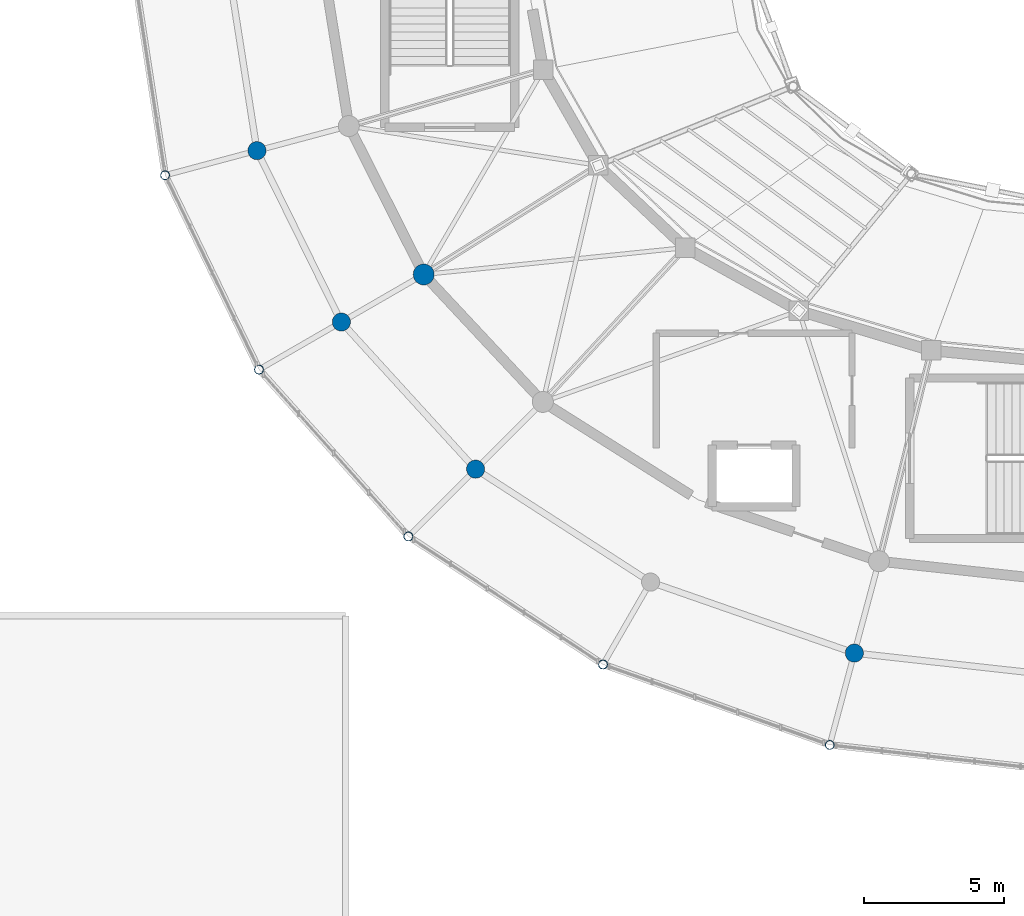
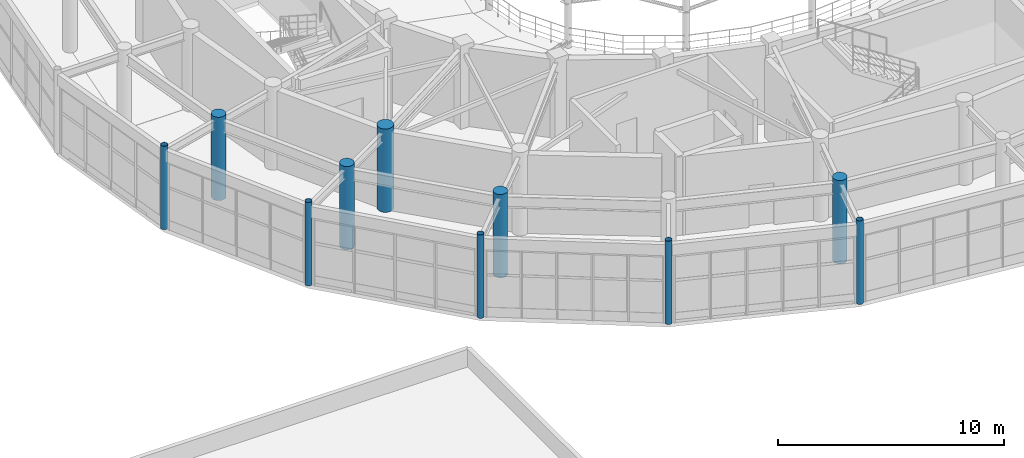
# One storey, part 6 of 112: 10 columns.
"""IFC4 building model written with IfcOpenShell, lengths in metres."""

from ifc_helpers import new_model, si_unit, direction, frame, origin, origin_2d, place, context, subcontext, project, spatial, circle, hollow_circle, extrude, material, material_profile, profile_set, type_object, element, save


model = new_model("IFC4")

# Units and contexts
model_context = context("Model", 3, precision=1e-05, world=origin(), true_north=direction((0.0, 1.0)))
body_context = subcontext(model_context, "Body", "Model", "MODEL_VIEW")
ifc_project = project(units=[si_unit("LENGTHUNIT", "METRE"), si_unit("AREAUNIT", "SQUARE_METRE"), si_unit("VOLUMEUNIT", "CUBIC_METRE"), si_unit("PLANEANGLEUNIT", "RADIAN"), si_unit("MASSUNIT", "GRAM", prefix="KILO")], contexts=[model_context])

# Site, building, storey
site_placement = place(None, origin())
site = spatial("IfcSite", under=ifc_project, at=site_placement, CompositionType="ELEMENT")
building_placement = place(site_placement, origin())
building = spatial("IfcBuilding", under=site, at=building_placement, Name="Cinderbank Siding Concert Hall", CompositionType="ELEMENT")
storey_placement = place(building_placement, frame((0.0, 0.0, 10.199951171875)))
storey = spatial("IfcBuildingStorey", under=building, at=storey_placement, Name="L03", CompositionType="ELEMENT", Elevation=10.199951171875)

# Columns
ifc_material_1 = material(Name="Structural steel hollow section AS/NZS 1163 Grade C350L0 (350 MPa)", Category="steel")
ifc_material_profile_1 = material_profile(ifc_material_1, hollow_circle(Radius=0.161865234375, WallThickness=0.0126953125, at=origin_2d()), Name="323.9x12.7CHS", Category="LoadBearing")
ifc_profile_set_1 = profile_set([ifc_material_profile_1], Name="Structural steel hollow section AS/NZS 1163 Grade C350L0 (350 MPa)")
column_type_1 = type_object("IfcColumnType", Name="C-CHS323 323.9x12.7CHS", PredefinedType="COLUMN", material=ifc_profile_set_1)
for number, where, z_axis, x_axis, name in (
    (1, (89.544921875, 36.5458984375, 0.0), (0.0, 0.0, 1.0), (1.0, 0.0, 0.0), "L03 Column COL-E4-14"),
    (2, (92.90087890625, 29.60009765625, 0.0), (0.0, 0.0, 1.0), (1.0, 0.0, 0.0), "L03 Column COL-E4-15"),
    (3, (98.240966796875, 23.635009765625, 0.0), (0.0, 0.0, 1.0), (1.0, 0.0, 0.0), "L03 Column COL-E4-16"),
    (4, (105.199951171875, 19.05810546875, 0.0), (0.0, 0.0, 1.0), (1.0, 0.0, 0.0), "L03 Column COL-E4-17"),
    (5, (113.303955078125, 16.180908203125, 0.0), (0.0, 0.0, 1.0), (1.0, 0.0, 0.0), "L03 Column COL-E4-18"),
):
    element("IfcColumn", number, at=place(storey_placement, frame(where, z_axis=z_axis, x_axis=x_axis)), inside=storey, type_object=column_type_1, Name=name, PredefinedType="COLUMN", context=body_context, shape_type="SweptSolid", body=[
        extrude(hollow_circle(Radius=0.161865234375, WallThickness=0.0126953125, at=origin_2d()), origin(), (0.0, 0.0, 1.0), 4.5),
    ])
ifc_material_2 = material(Name="Reinforced concrete AS 3600 N50 (50 MPa)", Category="concrete")
ifc_material_profile_2 = material_profile(ifc_material_2, circle(Radius=0.324951171875, at=origin_2d()), Name="RC-COL-650DIA", Category="LoadBearing")
ifc_profile_set_2 = profile_set([ifc_material_profile_2], Name="Reinforced concrete AS 3600 N50 (50 MPa)")
column_type_2 = type_object("IfcColumnType", Name="C-RCD650 RC-COL-650DIA", PredefinedType="COLUMN", material=ifc_profile_set_2)
for number, where, z_axis, x_axis, name in (
    (6, (92.8291015625, 37.426025390625, 0.0), (0.0, 0.0, 1.0), (1.0, 0.0, 0.0), "L03 Column COL-E3-14"),
    (7, (95.845947265625, 31.300048828125, 0.0), (0.0, 0.0, 1.0), (1.0, 0.0, 0.0), "L03 Column COL-E3-15"),
    (8, (100.64501953125, 26.0400390625, 0.0), (0.0, 0.0, 1.0), (1.0, 0.0, 0.0), "L03 Column COL-E3-16"),
    (9, (114.18408203125, 19.465087890625, 0.0), (0.0, 0.0, 1.0), (1.0, 0.0, 0.0), "L03 Column COL-E3-18"),
):
    element("IfcColumn", number, at=place(storey_placement, frame(where, z_axis=z_axis, x_axis=x_axis)), inside=storey, type_object=column_type_2, Name=name, PredefinedType="COLUMN", context=body_context, shape_type="SweptSolid", body=[
        extrude(circle(Radius=0.324951171875, at=origin_2d()), origin(), (0.0, 0.0, 1.0), 4.5),
    ])
ifc_material_profile_3 = material_profile(ifc_material_2, circle(Radius=0.375, at=origin_2d()), Name="RC-COL-750DIA", Category="LoadBearing")
ifc_profile_set_3 = profile_set([ifc_material_profile_3], Name="Reinforced concrete AS 3600 N50 (50 MPa)")
column_type_3 = type_object("IfcColumnType", Name="C-RCD750 RC-COL-750DIA", PredefinedType="COLUMN", material=ifc_profile_set_3)
column_placement = place(storey_placement, frame((98.7900390625, 33.0, 0.0), z_axis=(0.0, 0.0, 1.0), x_axis=(1.0, 0.0, 0.0)))
element("IfcColumn", 10, at=column_placement, inside=storey, type_object=column_type_3, Name="L03 Column COL-E2-15", PredefinedType="COLUMN", context=body_context, shape_type="SweptSolid", body=[
    extrude(circle(Radius=0.375, at=origin_2d()), origin(), (0.0, 0.0, 1.0), 4.5),
])

save(model, "model.ifc")
